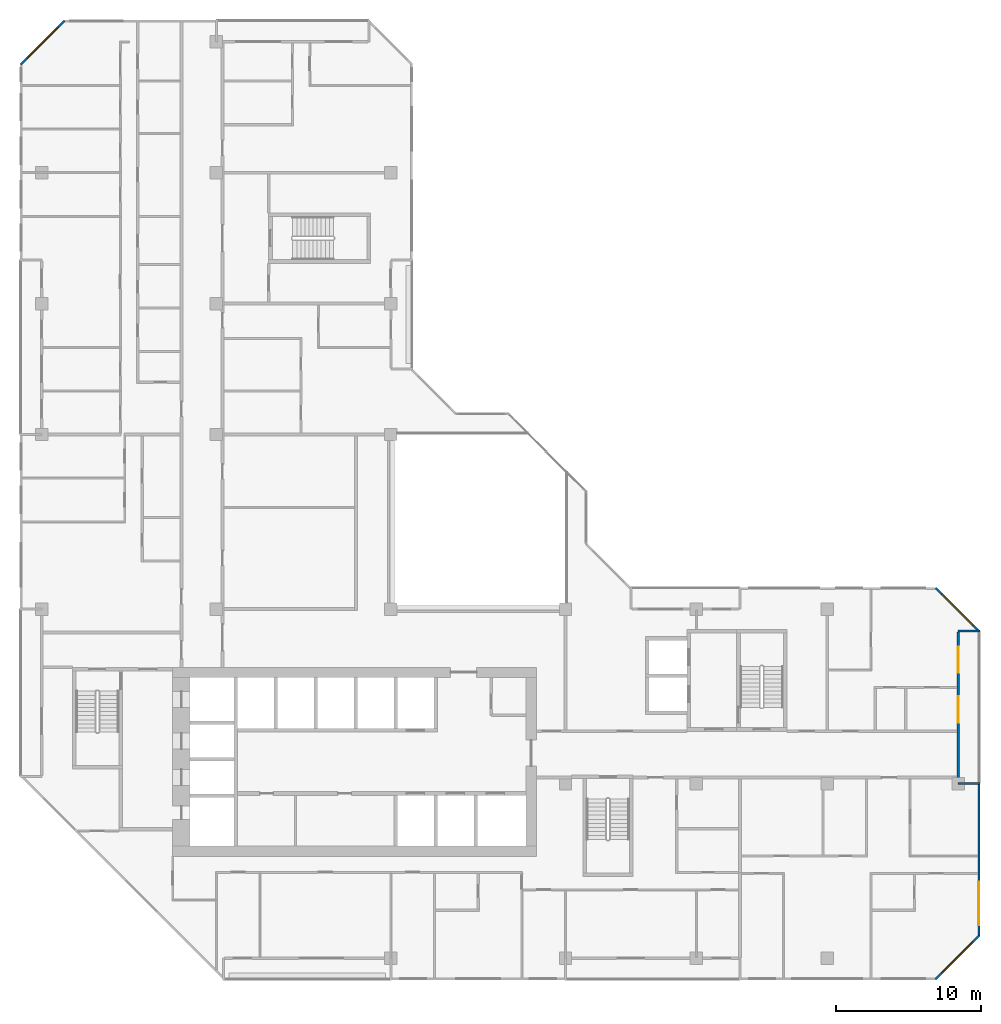
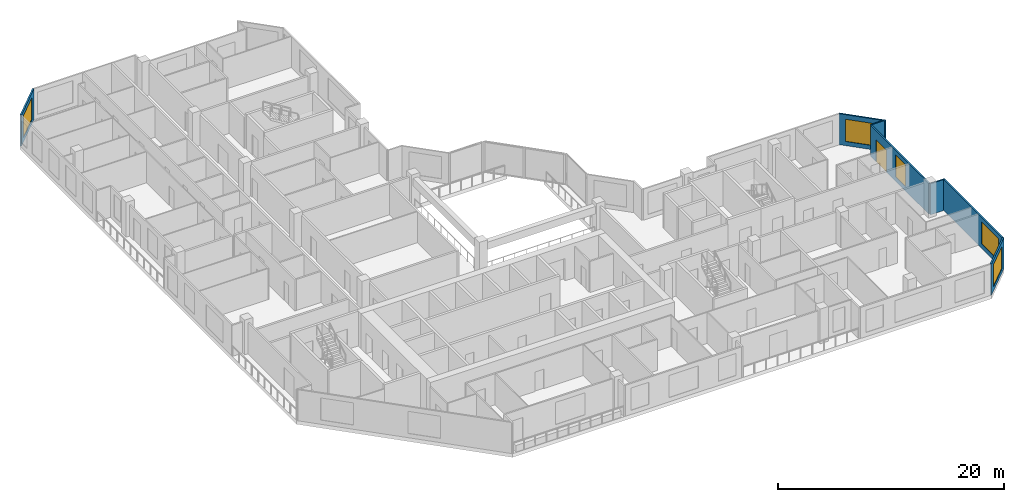
# One storey, part 12 of 15: 7 walls, 5 windows, 1 door, 6 openings.
"""IFC4 building model written with IfcOpenShell, lengths in metres."""

from ifc_helpers import new_model, si_unit, direction, frame, frame_2d, origin, place, context, subcontext, project, spatial, rectangle, extrude, material, layer, layer_set, type_object, element, fill, save


model = new_model("IFC4")

# Units and contexts
model_context = context("Model", 3, precision=1e-05, world=origin(), true_north=direction((0.0, 1.0)))
body_context = subcontext(model_context, "Body", "Model", "MODEL_VIEW")
ifc_project = project(units=[si_unit("LENGTHUNIT", "METRE"), si_unit("AREAUNIT", "SQUARE_METRE"), si_unit("VOLUMEUNIT", "CUBIC_METRE"), si_unit("PLANEANGLEUNIT", "RADIAN"), si_unit("MASSUNIT", "GRAM", prefix="KILO")], contexts=[model_context])

# Site, building, storey
site_placement = place(None, origin())
site = spatial("IfcSite", under=ifc_project, at=site_placement, CompositionType="ELEMENT")
building_placement = place(site_placement, origin())
building = spatial("IfcBuilding", under=site, at=building_placement, Name="Chenar Terraces", CompositionType="ELEMENT")
storey_placement = place(building_placement, frame((0.0, 0.0, 215.39990234375)))
storey = spatial("IfcBuildingStorey", under=building, at=storey_placement, Name="L50", CompositionType="ELEMENT", Elevation=215.39990234375)

# Wall, opening, window
ifc_material_1 = material(Name="Aluminium framed glazing", Category="aluminium")
ifc_layer_1 = layer(ifc_material_1, 0.14990234375)
ifc_layer_set_1 = layer_set([ifc_layer_1], Name="Aluminium framed glazing")
wall_type_1 = type_object("IfcWallType", Name="Glazed flush facade wall 150", PredefinedType="SOLIDWALL", material=ifc_layer_set_1)
wall_1_placement = place(storey_placement, frame((64.425048828125, 1.5, 0.0), z_axis=(0.0, 0.0, 1.0), x_axis=(0.0, 1.0, 0.0)))
wall_1 = element("IfcWall", 1, at=wall_1_placement, inside=storey, type_object=wall_type_1, Name="Glazed flush facade wall", PredefinedType="SOLIDWALL", context=body_context, shape_type="SweptSolid", body=[
    extrude(rectangle(XDim=10.425048828125, YDim=0.14990234375, at=frame_2d((5.21240234375, 0.0))), origin(), (0.0, 0.0, 1.0), 3.35009765625),
])
opening_1_placement = place(wall_1_placement, frame((0.75, 0.0, 0.449951171875)))
opening_1 = element("IfcOpeningElement", 2, at=opening_1_placement, cuts=wall_1, Name="Opening W300x240", PredefinedType="OPENING", context=body_context, shape_type="SweptSolid", body=[
    extrude(rectangle(XDim=3.0, YDim=2.39990234375, at=frame_2d((1.5, 1.199951171875))), frame((0.0, 0.0849609375, 0.0), z_axis=(0.0, -1.0, 0.0), x_axis=(1.0, 0.0, 0.0)), (0.0, 0.0, 1.0), 0.169921875),
])
ifc_material_2 = material(Name="Low emissivity double glazing, aluminium frame", Category="aluminium")
window_type_1 = type_object("IfcWindowType", Name="Fixed light 3000 x 2400", PartitioningType="SINGLE_PANEL", PredefinedType="WINDOW", material=ifc_material_2)
window_1_placement = place(opening_1_placement, origin())
window_1 = element("IfcWindow", 3, at=window_1_placement, inside=storey, type_object=window_type_1, Name="Window", OverallHeight=2.39990234375, OverallWidth=3.0, PartitioningType="SINGLE_PANEL", PredefinedType="WINDOW", context=body_context, shape_type="SweptSolid", body=[
    extrude(rectangle(XDim=3.0, YDim=2.39990234375, at=frame_2d((1.5, 1.199951171875))), frame((0.0, 0.030029296875, 0.0), z_axis=(0.0, -1.0, 0.0), x_axis=(1.0, 0.0, 0.0)), (0.0, 0.0, 1.0), 0.06005859375),
])
fill(opening_1, window_1)

# Wall, openings, window, door
ifc_material_3 = material(Name="Aluminium framed glazing", Category="aluminium")
ifc_layer_2 = layer(ifc_material_3, 0.14990234375)
ifc_layer_set_2 = layer_set([ifc_layer_2], Name="Aluminium framed glazing")
wall_type_2 = type_object("IfcWallType", Name="Glazed loggia back wall 150", PredefinedType="SOLIDWALL", material=ifc_layer_set_2)
wall_2_placement = place(storey_placement, frame((63.0, 12.074951171875, 0.0), z_axis=(0.0, 0.0, 1.0), x_axis=(0.0, 1.0, 0.0)))
wall_2 = element("IfcWall", 4, at=wall_2_placement, inside=storey, type_object=wall_type_2, Name="Glazed loggia back wall", PredefinedType="SOLIDWALL", context=body_context, shape_type="SweptSolid", body=[
    extrude(rectangle(XDim=10.35009765625, YDim=0.14990234375, at=frame_2d((5.175048828125, 0.0))), origin(), (0.0, 0.0, 1.0), 3.35009765625),
])
opening_2_placement = place(wall_2_placement, frame((4.125, 0.0, 0.449951171875)))
opening_2 = element("IfcOpeningElement", 5, at=opening_2_placement, cuts=wall_2, Name="Opening W180x240", PredefinedType="OPENING", context=body_context, shape_type="SweptSolid", body=[
    extrude(rectangle(XDim=1.800048828125, YDim=2.39990234375, at=frame_2d((0.89990234375, 1.199951171875))), frame((0.0, 0.0849609375, 0.0), z_axis=(0.0, -1.0, 0.0), x_axis=(1.0, 0.0, 0.0)), (0.0, 0.0, 1.0), 0.169921875),
])
opening_3_placement = place(wall_2_placement, frame((7.53759765625, 0.0, 0.0)))
opening_3 = element("IfcOpeningElement", 6, at=opening_3_placement, cuts=wall_2, Name="Opening DL50-G7", PredefinedType="OPENING", context=body_context, shape_type="SweptSolid", body=[
    extrude(rectangle(XDim=1.800048828125, YDim=2.39990234375, at=frame_2d((0.89990234375, 1.199951171875))), frame((0.0, 0.0849609375, 0.0), z_axis=(0.0, -1.0, 0.0), x_axis=(1.0, 0.0, 0.0)), (0.0, 0.0, 1.0), 0.169921875),
])
ifc_material_4 = material(Name="Low emissivity double glazing, aluminium frame", Category="aluminium")
window_type_2 = type_object("IfcWindowType", Name="Fixed light 1800 x 2400", PartitioningType="SINGLE_PANEL", PredefinedType="WINDOW", material=ifc_material_4)
window_2_placement = place(opening_2_placement, origin())
window_2 = element("IfcWindow", 7, at=window_2_placement, inside=storey, type_object=window_type_2, Name="Window", OverallHeight=2.39990234375, OverallWidth=1.800048828125, PartitioningType="SINGLE_PANEL", PredefinedType="WINDOW", context=body_context, shape_type="SweptSolid", body=[
    extrude(rectangle(XDim=1.800048828125, YDim=2.39990234375, at=frame_2d((0.89990234375, 1.199951171875))), frame((0.0, 0.030029296875, 0.0), z_axis=(0.0, -1.0, 0.0), x_axis=(1.0, 0.0, 0.0)), (0.0, 0.0, 1.0), 0.06005859375),
])
fill(opening_2, window_2)
ifc_material_5 = material(Name="Low emissivity double glazing, aluminium frame", Category="aluminium")
door_type = type_object("IfcDoorType", Name="Loggia glazed double door 1800 x 2400", OperationType="DOUBLE_DOOR_SINGLE_SWING", PredefinedType="DOOR", material=ifc_material_5)
door_placement = place(opening_3_placement, frame((1.800048828125, 0.0, 0.0), z_axis=(0.0, 0.0, 1.0), x_axis=(-1.0, 0.0, 0.0)))
door = element("IfcDoor", 8, at=door_placement, inside=storey, type_object=door_type, Name="Loggia glazed door", OperationType="DOUBLE_DOOR_SINGLE_SWING", OverallHeight=2.39990234375, OverallWidth=1.800048828125, PredefinedType="DOOR", context=body_context, shape_type="SweptSolid", body=[
    extrude(rectangle(XDim=1.800048828125, YDim=2.39990234375, at=frame_2d((0.89990234375, 1.199951171875))), frame((0.0, 0.02490234375, 0.0), z_axis=(0.0, -1.0, 0.0), x_axis=(1.0, 0.0, 0.0)), (0.0, 0.0, 1.0), 0.050048828125),
])
fill(opening_3, door)

# Walls
ifc_material_6 = material(Name="Terracotta cladding on insulated backing", Category="masonry")
ifc_layer_3 = layer(ifc_material_6, 0.14990234375)
ifc_layer_set_3 = layer_set([ifc_layer_3], Name="Terracotta cladding on insulated backing")
wall_type_3 = type_object("IfcWallType", Name="Loggia return wall 150", PredefinedType="SOLIDWALL", material=ifc_layer_set_3)
for number, where, z_axis, x_axis, name in (
    (9, (64.5, 12.0, 0.0), (0.0, 0.0, 1.0), (-1.0, 0.0, 0.0), "Loggia return wall"),
    (10, (64.5, 22.5, 0.0), (0.0, 0.0, 1.0), (-1.0, 0.0, 0.0), "Loggia return wall"),
):
    element("IfcWall", number, at=place(storey_placement, frame(where, z_axis=z_axis, x_axis=x_axis)), inside=storey, type_object=wall_type_3, Name=name, PredefinedType="SOLIDWALL", context=body_context, shape_type="SweptSolid", body=[
        extrude(rectangle(XDim=1.5, YDim=0.14990234375, at=frame_2d((0.75, 0.0))), origin(), (0.0, 0.0, 1.0), 3.35009765625),
    ])

# Wall, opening, window
ifc_material_7 = material(Name="Terracotta cladding on insulated backing", Category="masonry")
ifc_layer_4 = layer(ifc_material_7, 0.14990234375)
ifc_layer_set_4 = layer_set([ifc_layer_4], Name="Terracotta cladding on insulated backing")
wall_type_4 = type_object("IfcWallType", Name="Terracotta rainscreen wall 150", PredefinedType="SOLIDWALL", material=ifc_layer_set_4)
wall_3_placement = place(storey_placement, frame((1.552978515625, 64.447021484375, 0.0), z_axis=(0.0, 0.0, 1.0), x_axis=(-0.707106781187, -0.707106781187, 0.0)))
wall_3 = element("IfcWall", 11, at=wall_3_placement, inside=storey, type_object=wall_type_4, Name="Terracotta rainscreen wall", PredefinedType="SOLIDWALL", context=body_context, shape_type="SweptSolid", body=[
    extrude(rectangle(XDim=4.24267578125, YDim=0.14990234375, at=frame_2d((2.121337890625, 0.0))), origin(), (0.0, 0.0, 1.0), 3.35009765625),
])
opening_4_placement = place(wall_3_placement, frame((0.621337890625, 0.0, 0.449951171875)))
opening_4 = element("IfcOpeningElement", 12, at=opening_4_placement, cuts=wall_3, Name="Opening W300x240", PredefinedType="OPENING", context=body_context, shape_type="SweptSolid", body=[
    extrude(rectangle(XDim=3.0, YDim=2.39990234375, at=frame_2d((1.5, 1.199951171875))), frame((0.0, 0.0849609375, 0.0), z_axis=(0.0, -1.0, 0.0), x_axis=(1.0, 0.0, 0.0)), (0.0, 0.0, 1.0), 0.169921875),
])
window_3_placement = place(opening_4_placement, origin())
window_3 = element("IfcWindow", 13, at=window_3_placement, inside=storey, type_object=window_type_1, Name="Window", OverallHeight=2.39990234375, OverallWidth=3.0, PartitioningType="SINGLE_PANEL", PredefinedType="WINDOW", context=body_context, shape_type="SweptSolid", body=[
    extrude(rectangle(XDim=3.0, YDim=2.39990234375, at=frame_2d((1.5, 1.199951171875))), frame((0.0, 0.030029296875, 0.0), z_axis=(0.0, -1.0, 0.0), x_axis=(1.0, 0.0, 0.0)), (0.0, 0.0, 1.0), 0.06005859375),
])
fill(opening_4, window_3)

wall_4_placement = place(storey_placement, frame((61.447021484375, -1.447021484375, 0.0), z_axis=(0.0, 0.0, 1.0), x_axis=(0.707106781187, 0.707106781187, 0.0)))
wall_4 = element("IfcWall", 14, at=wall_4_placement, inside=storey, type_object=wall_type_4, Name="Terracotta rainscreen wall", PredefinedType="SOLIDWALL", context=body_context, shape_type="SweptSolid", body=[
    extrude(rectangle(XDim=4.24267578125, YDim=0.14990234375, at=frame_2d((2.121337890625, 0.0))), origin(), (0.0, 0.0, 1.0), 3.35009765625),
])
opening_5_placement = place(wall_4_placement, frame((0.621337890625, 0.0, 0.449951171875)))
opening_5 = element("IfcOpeningElement", 15, at=opening_5_placement, cuts=wall_4, Name="Opening W300x240", PredefinedType="OPENING", context=body_context, shape_type="SweptSolid", body=[
    extrude(rectangle(XDim=3.0, YDim=2.39990234375, at=frame_2d((1.5, 1.199951171875))), frame((0.0, 0.0849609375, 0.0), z_axis=(0.0, -1.0, 0.0), x_axis=(1.0, 0.0, 0.0)), (0.0, 0.0, 1.0), 0.169921875),
])
window_4_placement = place(opening_5_placement, origin())
window_4 = element("IfcWindow", 16, at=window_4_placement, inside=storey, type_object=window_type_1, Name="Window", OverallHeight=2.39990234375, OverallWidth=3.0, PartitioningType="SINGLE_PANEL", PredefinedType="WINDOW", context=body_context, shape_type="SweptSolid", body=[
    extrude(rectangle(XDim=3.0, YDim=2.39990234375, at=frame_2d((1.5, 1.199951171875))), frame((0.0, 0.030029296875, 0.0), z_axis=(0.0, -1.0, 0.0), x_axis=(1.0, 0.0, 0.0)), (0.0, 0.0, 1.0), 0.06005859375),
])
fill(opening_5, window_4)

wall_5_placement = place(storey_placement, frame((64.447021484375, 22.447021484375, 0.0), z_axis=(0.0, 0.0, 1.0), x_axis=(-0.707106781187, 0.707106781187, 0.0)))
wall_5 = element("IfcWall", 17, at=wall_5_placement, inside=storey, type_object=wall_type_4, Name="Terracotta rainscreen wall", PredefinedType="SOLIDWALL", context=body_context, shape_type="SweptSolid", body=[
    extrude(rectangle(XDim=4.24267578125, YDim=0.14990234375, at=frame_2d((2.121337890625, 0.0))), origin(), (0.0, 0.0, 1.0), 3.35009765625),
])
opening_6_placement = place(wall_5_placement, frame((0.621337890625, 0.0, 0.449951171875)))
opening_6 = element("IfcOpeningElement", 18, at=opening_6_placement, cuts=wall_5, Name="Opening W300x240", PredefinedType="OPENING", context=body_context, shape_type="SweptSolid", body=[
    extrude(rectangle(XDim=3.0, YDim=2.39990234375, at=frame_2d((1.5, 1.199951171875))), frame((0.0, 0.0849609375, 0.0), z_axis=(0.0, -1.0, 0.0), x_axis=(1.0, 0.0, 0.0)), (0.0, 0.0, 1.0), 0.169921875),
])
window_5_placement = place(opening_6_placement, origin())
window_5 = element("IfcWindow", 19, at=window_5_placement, inside=storey, type_object=window_type_1, Name="Window", OverallHeight=2.39990234375, OverallWidth=3.0, PartitioningType="SINGLE_PANEL", PredefinedType="WINDOW", context=body_context, shape_type="SweptSolid", body=[
    extrude(rectangle(XDim=3.0, YDim=2.39990234375, at=frame_2d((1.5, 1.199951171875))), frame((0.0, 0.030029296875, 0.0), z_axis=(0.0, -1.0, 0.0), x_axis=(1.0, 0.0, 0.0)), (0.0, 0.0, 1.0), 0.06005859375),
])
fill(opening_6, window_5)

save(model, "model.ifc")
